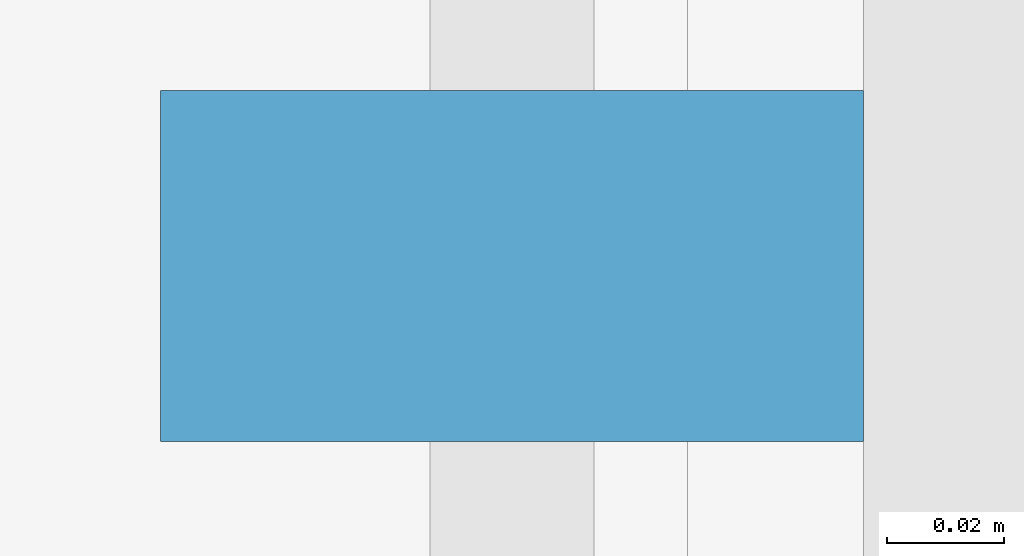
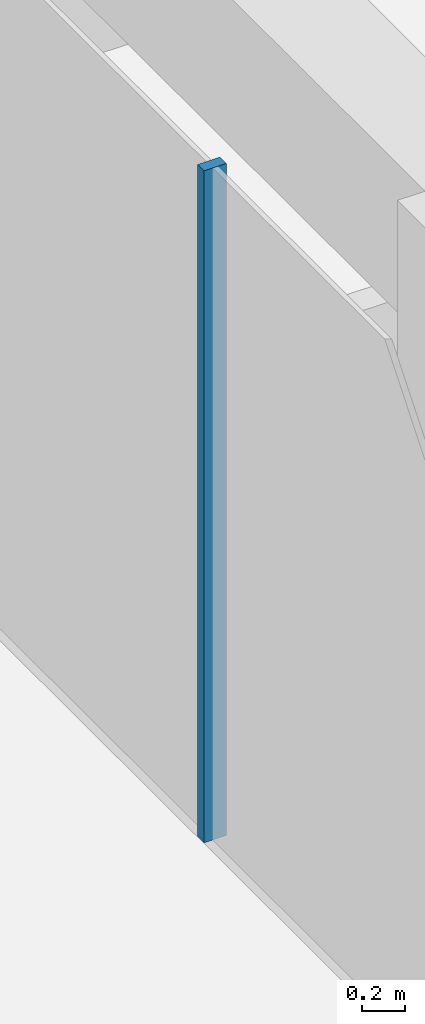
# One storey, part 10 of 22: 1 member, 1 element without a shape of its own.
"""IFC4 building model written with IfcOpenShell, lengths in metres."""

from ifc_helpers import new_model, si_unit, direction, frame, origin, origin_2d, place, context, subcontext, project, spatial, rectangle, extrude, material, layer, layer_set, material_profile, profile_set, type_object, element, aggregate, save


model = new_model("IFC4")

# Units and contexts
model_context = context("Model", 3, precision=1e-05, world=origin(), true_north=direction((0.0, 1.0)))
body_context = subcontext(model_context, "Body", "Model", "MODEL_VIEW")
ifc_project = project(units=[si_unit("LENGTHUNIT", "METRE"), si_unit("AREAUNIT", "SQUARE_METRE"), si_unit("VOLUMEUNIT", "CUBIC_METRE"), si_unit("PLANEANGLEUNIT", "RADIAN"), si_unit("MASSUNIT", "GRAM", prefix="KILO")], contexts=[model_context])

# Site, building, storey
site_placement = place(None, origin())
site = spatial("IfcSite", under=ifc_project, at=site_placement, CompositionType="ELEMENT")
building_placement = place(site_placement, origin())
building = spatial("IfcBuilding", under=site, at=building_placement, Name="Welwitschia Terrace Campus", CompositionType="ELEMENT")
storey_placement = place(building_placement, frame((0.0, 0.0, 150.800048828125)))
storey = spatial("IfcBuildingStorey", under=building, at=storey_placement, Name="L33", CompositionType="ELEMENT", Elevation=150.800048828125)

# Curtain wall, member
ifc_material_1 = material(Name="Bronze anodised aluminium", Category="aluminium")
ifc_layer = layer(ifc_material_1, 0.1201171875)
ifc_layer_set = layer_set([ifc_layer], Name="Bronze anodised aluminium")
curtain_wall_type = type_object("IfcCurtainWallType", Name="Curtain wall CW2 tower 6000", PredefinedType="NOTDEFINED", material=ifc_layer_set)
curtain_wall_placement = place(storey_placement, origin())
curtain_wall = element("IfcCurtainWall", 1, at=curtain_wall_placement, inside=storey, type_object=curtain_wall_type, Name="CW L33.0.0", PredefinedType="NOTDEFINED")
ifc_material_2 = material(Name="Bronze anodised aluminium", Category="aluminium")
ifc_material_profile = material_profile(ifc_material_2, rectangle(XDim=0.1201171875, YDim=0.06005859375, at=origin_2d()))
ifc_profile_set = profile_set([ifc_material_profile], Name="Bronze anodised aluminium")
member_type = type_object("IfcMemberType", Name="Mullion 60x120", PredefinedType="MULLION", material=ifc_profile_set)
member_placement = place(storey_placement, frame((-1.030029296875, 45.11767578125, 0.0), z_axis=(0.0, 0.0, 1.0), x_axis=(1.0, 0.0, 0.0)))
member = element("IfcMember", 2, at=member_placement, type_object=member_type, Name="Mullion L33.0.0.3", PredefinedType="MULLION", context=body_context, shape_type="SweptSolid", body=[
    extrude(rectangle(XDim=0.1201171875, YDim=0.06005859375, at=origin_2d()), origin(), (0.0, 0.0, 1.0), 3.849853515625),
])
aggregate(curtain_wall, [member])

save(model, "model.ifc")
